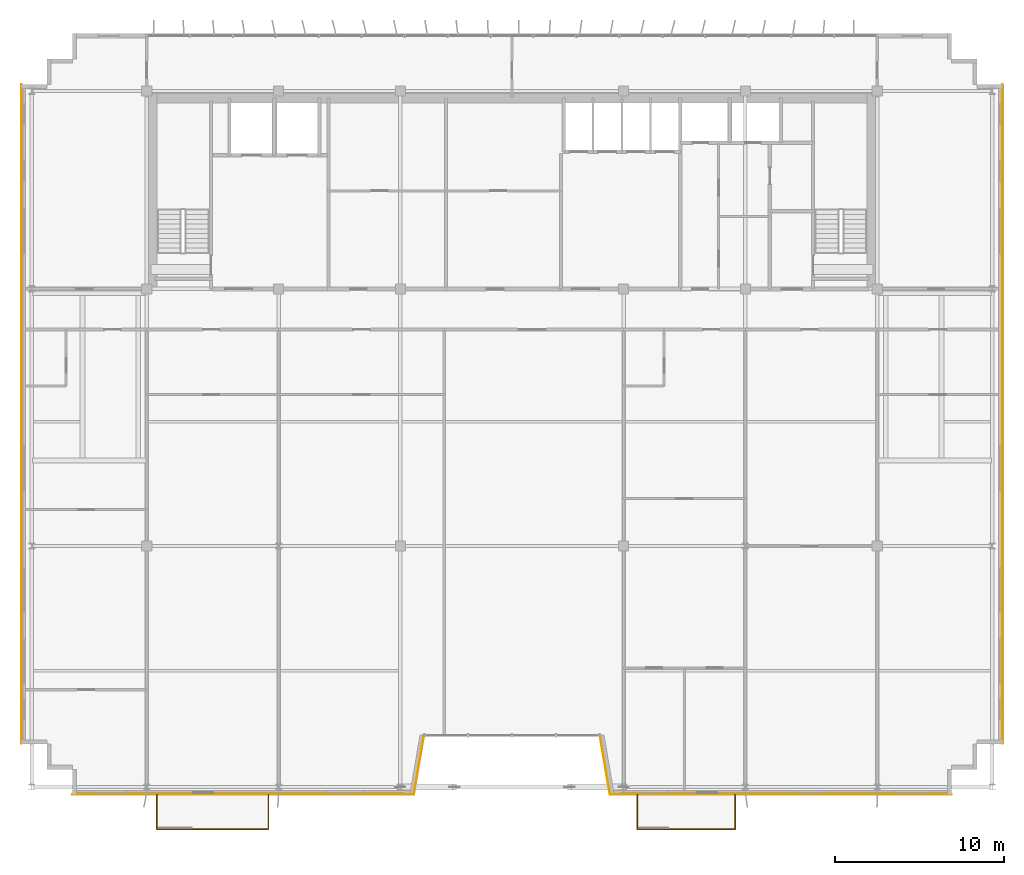
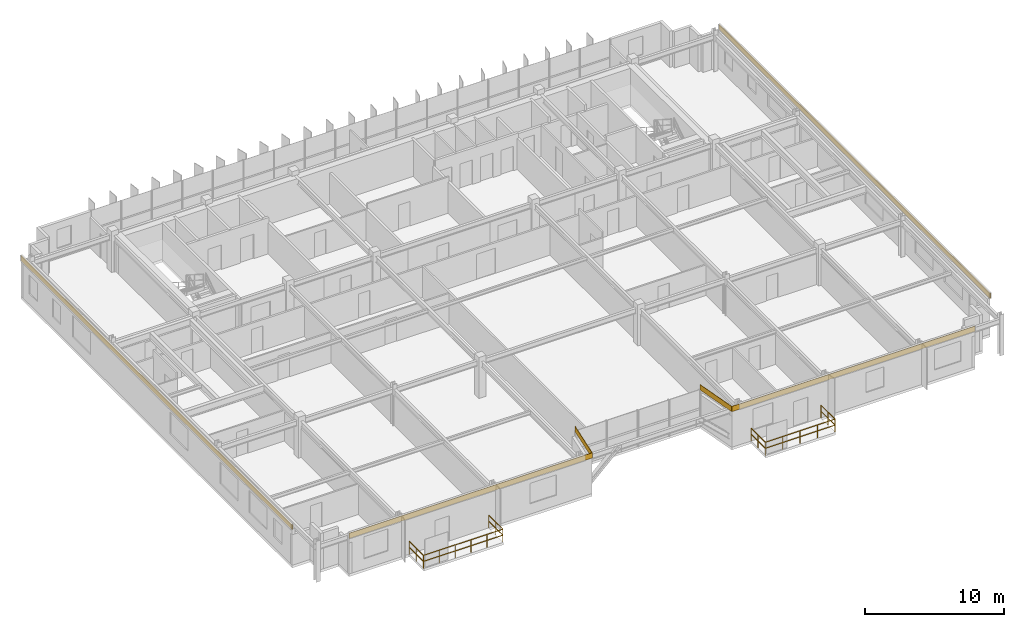
# One storey, part 25 of 26: 6 coverings, 6 railings.
"""IFC4 building model written with IfcOpenShell, lengths in metres."""

from ifc_helpers import new_model, si_unit, direction, frame, origin, origin_2d, place, context, subcontext, project, spatial, rectangle, extrude, source, transform, mapped, material, layer, layer_set, type_object, element, save


model = new_model("IFC4")

# Units and contexts
model_context = context("Model", 3, precision=1e-05, world=origin(), true_north=direction((0.0, 1.0)))
body_context = subcontext(model_context, "Body", "Model", "MODEL_VIEW")
ifc_project = project(units=[si_unit("LENGTHUNIT", "METRE"), si_unit("AREAUNIT", "SQUARE_METRE"), si_unit("VOLUMEUNIT", "CUBIC_METRE"), si_unit("PLANEANGLEUNIT", "RADIAN"), si_unit("MASSUNIT", "GRAM", prefix="KILO")], contexts=[model_context])

# Site, building, storey
site_placement = place(None, origin())
site = spatial("IfcSite", under=ifc_project, at=site_placement, CompositionType="ELEMENT")
building_placement = place(site_placement, origin())
building = spatial("IfcBuilding", under=site, at=building_placement, Name="Trelvane Seafront Commons", CompositionType="ELEMENT")
storey_placement = place(building_placement, frame((0.0, 0.0, 291.89990234375)))
storey = spatial("IfcBuildingStorey", under=building, at=storey_placement, Name="L76", CompositionType="ELEMENT", Elevation=291.89990234375)

# Railings
ifc_material_1 = material(Name="Stainless steel balustrade", Category="steel")
railing_type = type_object("IfcRailingType", Name="ARCH-RAIL-BAL1150", PredefinedType="BALUSTRADE", material=ifc_material_1)
railing_1_placement = place(storey_placement, frame((16.199951171875, 3.5, 0.0)))
element("IfcRailing", 1, at=railing_1_placement, inside=storey, type_object=railing_type, Name="RL-L76-BAL0-01", PredefinedType="BALUSTRADE", context=body_context, shape_type="SweptSolid", body=[
    extrude(rectangle(XDim=0.048095703125, YDim=0.048095703125, at=origin_2d()), frame((0.0, 0.0, 1.1259765625), z_axis=(0.0, -1.0, 0.0), x_axis=(1.0, 0.0, 0.0)), (0.0, 0.0, 1.0), 2.0400390625),
    extrude(rectangle(XDim=0.048095703125, YDim=0.048095703125, at=origin_2d()), frame((0.0, 0.0, 0.597900390625), z_axis=(0.0, -1.0, 0.0), x_axis=(1.0, 0.0, 0.0)), (0.0, 0.0, 1.0), 2.0400390625),
    extrude(rectangle(XDim=0.0419921875, YDim=0.0419921875, at=origin_2d()), origin(), (0.0, 0.0, 1.0), 1.1259765625),
    extrude(rectangle(XDim=0.0419921875, YDim=0.0419921875, at=origin_2d()), frame((0.0, -1.02001953125, 0.0)), (0.0, 0.0, 1.0), 1.1259765625),
    extrude(rectangle(XDim=0.0419921875, YDim=0.0419921875, at=origin_2d()), frame((0.0, -2.0400390625, 0.0)), (0.0, 0.0, 1.0), 1.1259765625),
])
railing_2_placement = place(storey_placement, frame((16.199951171875, 1.4599609375, 0.0)))
element("IfcRailing", 2, at=railing_2_placement, inside=storey, type_object=railing_type, Name="RL-L76-BAL0-02", PredefinedType="BALUSTRADE", context=body_context, shape_type="SweptSolid", body=[
    extrude(rectangle(XDim=0.048095703125, YDim=0.048095703125, at=origin_2d()), frame((0.0, 0.0, 1.1259765625), z_axis=(1.0, 0.0, 0.0), x_axis=(0.0, 1.0, 0.0)), (0.0, 0.0, 1.0), 6.60009765625),
    extrude(rectangle(XDim=0.048095703125, YDim=0.048095703125, at=origin_2d()), frame((0.0, 0.0, 0.597900390625), z_axis=(1.0, 0.0, 0.0), x_axis=(0.0, 1.0, 0.0)), (0.0, 0.0, 1.0), 6.60009765625),
    extrude(rectangle(XDim=0.0419921875, YDim=0.0419921875, at=origin_2d()), origin(), (0.0, 0.0, 1.0), 1.1259765625),
    extrude(rectangle(XDim=0.0419921875, YDim=0.0419921875, at=origin_2d()), frame((1.320068359375, 0.0, 0.0)), (0.0, 0.0, 1.0), 1.1259765625),
    extrude(rectangle(XDim=0.0419921875, YDim=0.0419921875, at=origin_2d()), frame((2.64013671875, 0.0, 0.0)), (0.0, 0.0, 1.0), 1.1259765625),
    extrude(rectangle(XDim=0.0419921875, YDim=0.0419921875, at=origin_2d()), frame((3.9599609375, 0.0, 0.0)), (0.0, 0.0, 1.0), 1.1259765625),
    extrude(rectangle(XDim=0.0419921875, YDim=0.0419921875, at=origin_2d()), frame((5.280029296875, 0.0, 0.0)), (0.0, 0.0, 1.0), 1.1259765625),
    extrude(rectangle(XDim=0.0419921875, YDim=0.0419921875, at=origin_2d()), frame((6.60009765625, 0.0, 0.0)), (0.0, 0.0, 1.0), 1.1259765625),
])
railing_3_placement = place(storey_placement, frame((22.800048828125, 1.4599609375, 0.0)))
element("IfcRailing", 3, at=railing_3_placement, inside=storey, type_object=railing_type, Name="RL-L76-BAL0-03", PredefinedType="BALUSTRADE", context=body_context, shape_type="SweptSolid", body=[
    extrude(rectangle(XDim=0.048095703125, YDim=0.048095703125, at=origin_2d()), frame((0.0, 0.0, 1.1259765625), z_axis=(0.0, 1.0, 0.0), x_axis=(-1.0, 0.0, 0.0)), (0.0, 0.0, 1.0), 2.0400390625),
    extrude(rectangle(XDim=0.048095703125, YDim=0.048095703125, at=origin_2d()), frame((0.0, 0.0, 0.597900390625), z_axis=(0.0, 1.0, 0.0), x_axis=(-1.0, 0.0, 0.0)), (0.0, 0.0, 1.0), 2.0400390625),
    extrude(rectangle(XDim=0.0419921875, YDim=0.0419921875, at=origin_2d()), origin(), (0.0, 0.0, 1.0), 1.1259765625),
    extrude(rectangle(XDim=0.0419921875, YDim=0.0419921875, at=origin_2d()), frame((0.0, 1.02001953125, 0.0)), (0.0, 0.0, 1.0), 1.1259765625),
    extrude(rectangle(XDim=0.0419921875, YDim=0.0419921875, at=origin_2d()), frame((0.0, 2.0400390625, 0.0)), (0.0, 0.0, 1.0), 1.1259765625),
])
railing_4_placement = place(storey_placement, frame((44.60009765625, 3.5, 0.0)))
element("IfcRailing", 4, at=railing_4_placement, inside=storey, type_object=railing_type, Name="RL-L76-BAL1-01", PredefinedType="BALUSTRADE", context=body_context, shape_type="SweptSolid", body=[
    extrude(rectangle(XDim=0.048095703125, YDim=0.048095703125, at=origin_2d()), frame((0.0, 0.0, 1.1259765625), z_axis=(0.0, -1.0, 0.0), x_axis=(1.0, 0.0, 0.0)), (0.0, 0.0, 1.0), 2.0400390625),
    extrude(rectangle(XDim=0.048095703125, YDim=0.048095703125, at=origin_2d()), frame((0.0, 0.0, 0.597900390625), z_axis=(0.0, -1.0, 0.0), x_axis=(1.0, 0.0, 0.0)), (0.0, 0.0, 1.0), 2.0400390625),
    extrude(rectangle(XDim=0.0419921875, YDim=0.0419921875, at=origin_2d()), origin(), (0.0, 0.0, 1.0), 1.1259765625),
    extrude(rectangle(XDim=0.0419921875, YDim=0.0419921875, at=origin_2d()), frame((0.0, -1.02001953125, 0.0)), (0.0, 0.0, 1.0), 1.1259765625),
    extrude(rectangle(XDim=0.0419921875, YDim=0.0419921875, at=origin_2d()), frame((0.0, -2.0400390625, 0.0)), (0.0, 0.0, 1.0), 1.1259765625),
])
railing_5_placement = place(storey_placement, frame((44.60009765625, 1.4599609375, 0.0)))
element("IfcRailing", 5, at=railing_5_placement, inside=storey, type_object=railing_type, Name="RL-L76-BAL1-02", PredefinedType="BALUSTRADE", context=body_context, shape_type="SweptSolid", body=[
    extrude(rectangle(XDim=0.048095703125, YDim=0.048095703125, at=origin_2d()), frame((0.0, 0.0, 1.1259765625), z_axis=(1.0, 0.0, 0.0), x_axis=(0.0, 1.0, 0.0)), (0.0, 0.0, 1.0), 5.7998046875),
    extrude(rectangle(XDim=0.048095703125, YDim=0.048095703125, at=origin_2d()), frame((0.0, 0.0, 0.597900390625), z_axis=(1.0, 0.0, 0.0), x_axis=(0.0, 1.0, 0.0)), (0.0, 0.0, 1.0), 5.7998046875),
    extrude(rectangle(XDim=0.0419921875, YDim=0.0419921875, at=origin_2d()), origin(), (0.0, 0.0, 1.0), 1.1259765625),
    extrude(rectangle(XDim=0.0419921875, YDim=0.0419921875, at=origin_2d()), frame((1.449951171875, 0.0, 0.0)), (0.0, 0.0, 1.0), 1.1259765625),
    extrude(rectangle(XDim=0.0419921875, YDim=0.0419921875, at=origin_2d()), frame((2.89990234375, 0.0, 0.0)), (0.0, 0.0, 1.0), 1.1259765625),
    extrude(rectangle(XDim=0.0419921875, YDim=0.0419921875, at=origin_2d()), frame((4.349853515625, 0.0, 0.0)), (0.0, 0.0, 1.0), 1.1259765625),
    extrude(rectangle(XDim=0.0419921875, YDim=0.0419921875, at=origin_2d()), frame((5.7998046875, 0.0, 0.0)), (0.0, 0.0, 1.0), 1.1259765625),
])
railing_6_placement = place(storey_placement, frame((50.39990234375, 1.4599609375, 0.0)))
element("IfcRailing", 6, at=railing_6_placement, inside=storey, type_object=railing_type, Name="RL-L76-BAL1-03", PredefinedType="BALUSTRADE", context=body_context, shape_type="SweptSolid", body=[
    extrude(rectangle(XDim=0.048095703125, YDim=0.048095703125, at=origin_2d()), frame((0.0, 0.0, 1.1259765625), z_axis=(0.0, 1.0, 0.0), x_axis=(-1.0, 0.0, 0.0)), (0.0, 0.0, 1.0), 2.0400390625),
    extrude(rectangle(XDim=0.048095703125, YDim=0.048095703125, at=origin_2d()), frame((0.0, 0.0, 0.597900390625), z_axis=(0.0, 1.0, 0.0), x_axis=(-1.0, 0.0, 0.0)), (0.0, 0.0, 1.0), 2.0400390625),
    extrude(rectangle(XDim=0.0419921875, YDim=0.0419921875, at=origin_2d()), origin(), (0.0, 0.0, 1.0), 1.1259765625),
    extrude(rectangle(XDim=0.0419921875, YDim=0.0419921875, at=origin_2d()), frame((0.0, 1.02001953125, 0.0)), (0.0, 0.0, 1.0), 1.1259765625),
    extrude(rectangle(XDim=0.0419921875, YDim=0.0419921875, at=origin_2d()), frame((0.0, 2.0400390625, 0.0)), (0.0, 0.0, 1.0), 1.1259765625),
])

# Coverings
ifc_material_2 = material(Name="Anodised pale-silver aluminium", Category="aluminium")
ifc_layer = layer(ifc_material_2, 0.034912109375, Name="ARCH-COV-CLAD35")
ifc_layer_set = layer_set([ifc_layer], Name="Anodised pale-silver aluminium")
covering_type = type_object("IfcCoveringType", Name="ARCH-COV-CLAD35", PredefinedType="CLADDING", material=ifc_layer_set)
shared_shape_1 = source(origin(), body_context, "Body", "SweptSolid", [
    extrude(rectangle(XDim=39.0, YDim=0.034912109375, at=origin_2d()), origin(), (0.0, 0.0, 1.0), 0.4599609375),
])
for number, where, z_axis, x_axis, name in (
    (7, (8.199951171875, 26.0, 3.14013671875), (0.0, 0.0, 1.0), (0.0, 1.0, 0.0), "CLD-L76-00303"),
    (8, (66.199951171875, 26.0, 3.14013671875), (0.0, 0.0, 1.0), (0.0, -1.0, 0.0), "CLD-L76-00304"),
):
    element("IfcCovering", number, at=place(storey_placement, frame(where, z_axis=z_axis, x_axis=x_axis)), inside=storey, type_object=covering_type, Name=name, PredefinedType="CLADDING", context=body_context, shape_type="MappedRepresentation", body=[
        mapped(shared_shape_1, transform((0.0, 0.0, 0.0), x_axis=(1.0, 0.0, 0.0), y_axis=(0.0, 1.0, 0.0), z_axis=(0.0, 0.0, 1.0), scale=1.0)),
    ])
shared_shape_2 = source(origin(), body_context, "Body", "SweptSolid", [
    extrude(rectangle(XDim=20.199951171875, YDim=0.034912109375, at=origin_2d()), origin(), (0.0, 0.0, 1.0), 0.4599609375),
])
for number, where, z_axis, x_axis, name in (
    (9, (53.10009765625, 3.5, 3.14013671875), (0.0, 0.0, 1.0), (-1.0, 0.0, 0.0), "CLD-L76-00305"),
    (10, (21.300048828125, 3.5, 3.14013671875), (0.0, 0.0, 1.0), (-1.0, 0.0, 0.0), "CLD-L76-00308"),
):
    element("IfcCovering", number, at=place(storey_placement, frame(where, z_axis=z_axis, x_axis=x_axis)), inside=storey, type_object=covering_type, Name=name, PredefinedType="CLADDING", context=body_context, shape_type="MappedRepresentation", body=[
        mapped(shared_shape_2, transform((0.0, 0.0, 0.0), x_axis=(1.0, 0.0, 0.0), y_axis=(0.0, 1.0, 0.0), z_axis=(0.0, 0.0, 1.0), scale=1.0)),
    ])
shared_shape_3 = source(origin(), body_context, "Body", "SweptSolid", [
    extrude(rectangle(XDim=3.551025390625, YDim=0.034912109375, at=origin_2d()), origin(), (0.0, 0.0, 1.0), 0.4599609375),
])
for number, where, z_axis, x_axis, name in (
    (11, (42.699951171875, 5.25, 3.14013671875), (0.0, 0.0, 1.0), (-0.168964184077, 0.985622191562, 0.0), "CLD-L76-00306"),
    (12, (31.699951171875, 5.25, 3.14013671875), (0.0, 0.0, 1.0), (-0.168964184077, -0.985622191562, 0.0), "CLD-L76-00307"),
):
    element("IfcCovering", number, at=place(storey_placement, frame(where, z_axis=z_axis, x_axis=x_axis)), inside=storey, type_object=covering_type, Name=name, PredefinedType="CLADDING", context=body_context, shape_type="MappedRepresentation", body=[
        mapped(shared_shape_3, transform((0.0, 0.0, 0.0), x_axis=(1.0, 0.0, 0.0), y_axis=(0.0, 1.0, 0.0), z_axis=(0.0, 0.0, 1.0), scale=1.0)),
    ])

save(model, "model.ifc")
